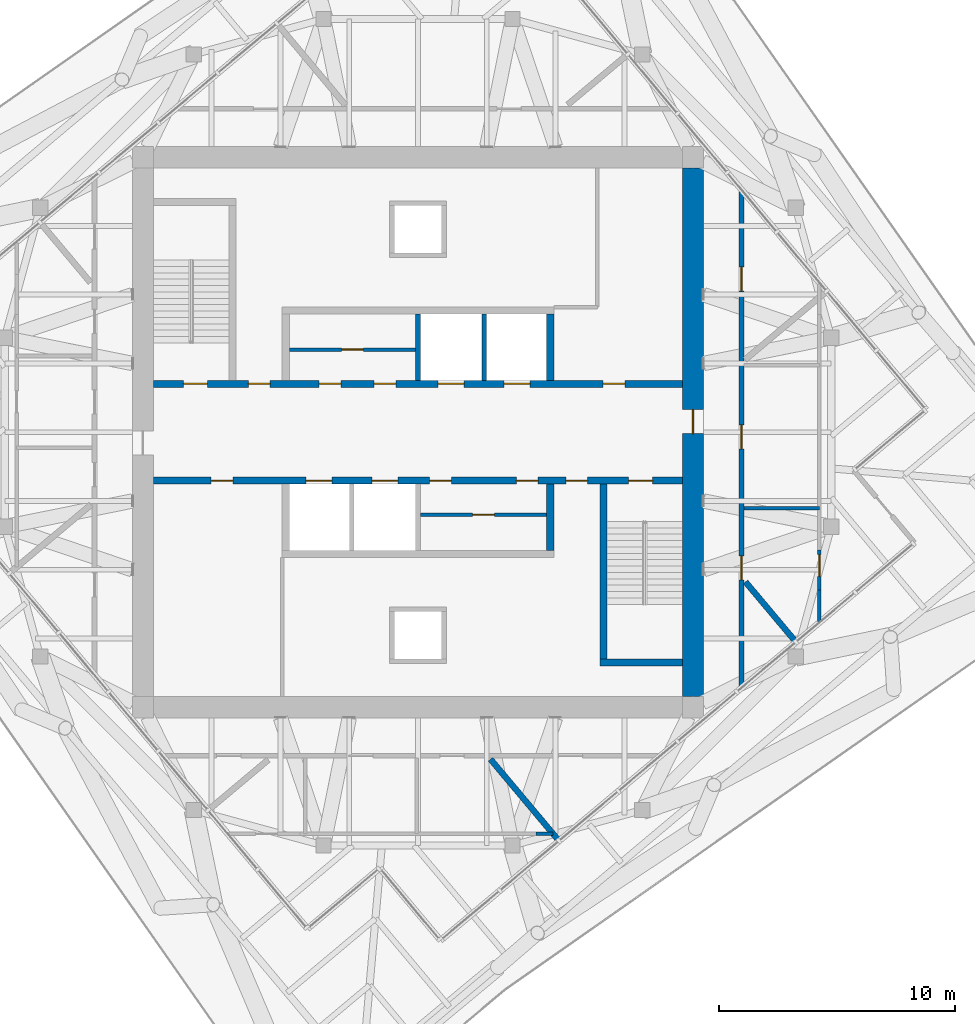
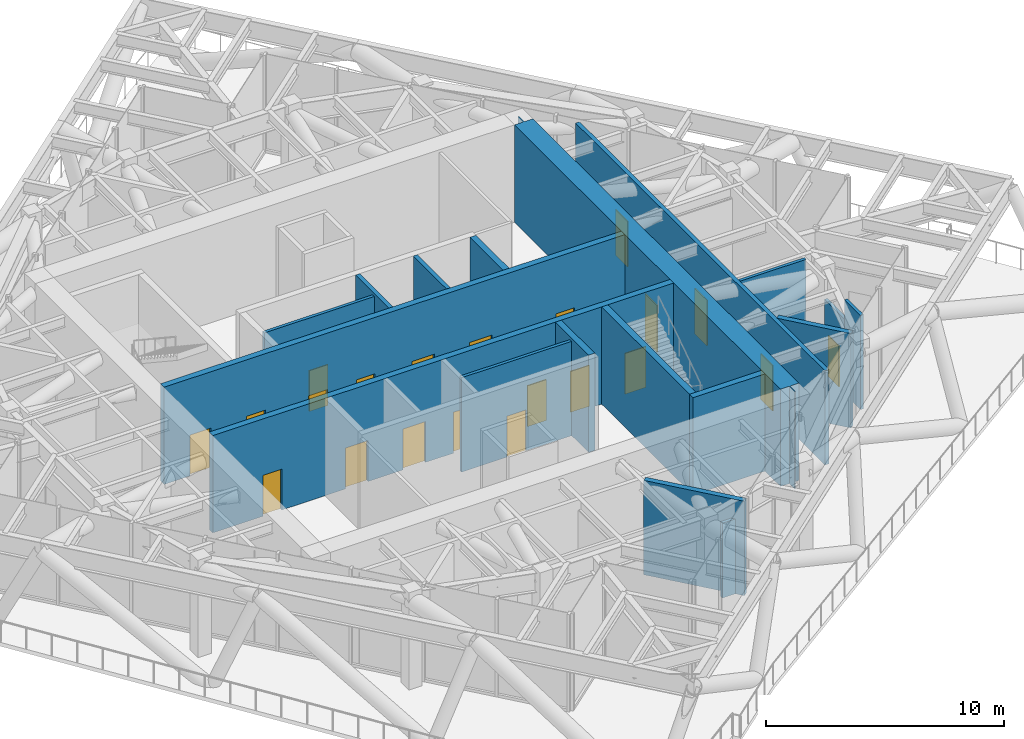
# One storey, part 8 of 15: 21 doors, 18 walls, 21 openings.
"""IFC4 building model written with IfcOpenShell, lengths in metres."""

from ifc_helpers import new_model, si_unit, direction, frame, frame_2d, origin, place, context, subcontext, project, spatial, polyline, rectangle, outline, extrude, material, layer, layer_set, type_object, element, fill, save


model = new_model("IFC4")

# Units and contexts
model_context = context("Model", 3, precision=1e-05, world=origin(), true_north=direction((0.0, 1.0)))
body_context = subcontext(model_context, "Body", "Model", "MODEL_VIEW")
ifc_project = project(units=[si_unit("LENGTHUNIT", "METRE"), si_unit("AREAUNIT", "SQUARE_METRE"), si_unit("VOLUMEUNIT", "CUBIC_METRE"), si_unit("PLANEANGLEUNIT", "RADIAN"), si_unit("MASSUNIT", "GRAM", prefix="KILO")], contexts=[model_context])

# Site, building, storey
site_placement = place(None, origin())
site = spatial("IfcSite", under=ifc_project, at=site_placement, CompositionType="ELEMENT")
building_placement = place(site_placement, origin())
building = spatial("IfcBuilding", under=site, at=building_placement, Name="Torsade Residences", CompositionType="ELEMENT")
storey_placement = place(building_placement, frame((0.0, 0.0, 267.60009765625)))
storey = spatial("IfcBuildingStorey", under=building, at=storey_placement, Name="L74", CompositionType="ELEMENT", Elevation=267.60009765625)

# Wall, openings, doors
ifc_material_1 = material(Name="Concrete 80 MPa", Category="concrete")
ifc_layer_1 = layer(ifc_material_1, 0.300048828125)
ifc_layer_set_1 = layer_set([ifc_layer_1], Name="Concrete 80 MPa")
wall_type_1 = type_object("IfcWallType", Name="CORE INTERNAL WALL 300", PredefinedType="SHEAR", material=ifc_layer_set_1)
wall_1_placement = place(storey_placement, frame((28.800048828125, 32.050048828125, 0.0), z_axis=(0.0, 0.0, 1.0), x_axis=(1.0, 0.0, 0.0)))
wall_1 = element("IfcWall", 1, at=wall_1_placement, inside=storey, type_object=wall_type_1, Name="Core wall LN L74", PredefinedType="SHEAR", context=body_context, shape_type="SweptSolid", body=[
    extrude(rectangle(XDim=22.39990234375, YDim=0.300048828125, at=frame_2d((11.199951171875, 0.0))), origin(), (0.0, 0.0, 1.0), 5.0),
])
opening_1_placement = place(wall_1_placement, frame((19.0400390625, 0.0, 0.0)))
opening_1 = element("IfcOpeningElement", 2, at=opening_1_placement, cuts=wall_1, Name="Opening D06", PredefinedType="OPENING", context=body_context, shape_type="SweptSolid", body=[
    extrude(rectangle(XDim=0.919921875, YDim=2.10009765625, at=frame_2d((0.4599609375, 1.050048828125))), frame((0.0, 0.159912109375, 0.0), z_axis=(0.0, -1.0, 0.0), x_axis=(1.0, 0.0, 0.0)), (0.0, 0.0, 1.0), 0.320068359375),
])
opening_2_placement = place(wall_1_placement, frame((1.264892578125, 0.0, 0.0)))
opening_2 = element("IfcOpeningElement", 3, at=opening_2_placement, cuts=wall_1, Name="Opening D03", PredefinedType="OPENING", context=body_context, shape_type="SweptSolid", body=[
    extrude(rectangle(XDim=1.02001953125, YDim=2.10009765625, at=frame_2d((0.510009765625, 1.050048828125))), frame((0.0, 0.159912109375, 0.0), z_axis=(0.0, -1.0, 0.0), x_axis=(1.0, 0.0, 0.0)), (0.0, 0.0, 1.0), 0.320068359375),
])
opening_3_placement = place(wall_1_placement, frame((4.014892578125, 0.0, 0.0)))
opening_3 = element("IfcOpeningElement", 4, at=opening_3_placement, cuts=wall_1, Name="Opening D06", PredefinedType="OPENING", context=body_context, shape_type="SweptSolid", body=[
    extrude(rectangle(XDim=0.919921875, YDim=2.10009765625, at=frame_2d((0.4599609375, 1.050048828125))), frame((0.0, 0.159912109375, 0.0), z_axis=(0.0, -1.0, 0.0), x_axis=(1.0, 0.0, 0.0)), (0.0, 0.0, 1.0), 0.320068359375),
])
opening_4_placement = place(wall_1_placement, frame((7.014892578125, 0.0, 0.0)))
opening_4 = element("IfcOpeningElement", 5, at=opening_4_placement, cuts=wall_1, Name="Opening D06", PredefinedType="OPENING", context=body_context, shape_type="SweptSolid", body=[
    extrude(rectangle(XDim=0.919921875, YDim=2.10009765625, at=frame_2d((0.4599609375, 1.050048828125))), frame((0.0, 0.159912109375, 0.0), z_axis=(0.0, -1.0, 0.0), x_axis=(1.0, 0.0, 0.0)), (0.0, 0.0, 1.0), 0.320068359375),
])
opening_5_placement = place(wall_1_placement, frame((9.340087890625, 0.0, 0.0)))
opening_5 = element("IfcOpeningElement", 6, at=opening_5_placement, cuts=wall_1, Name="Opening D06", PredefinedType="OPENING", context=body_context, shape_type="SweptSolid", body=[
    extrude(rectangle(XDim=0.919921875, YDim=2.10009765625, at=frame_2d((0.4599609375, 1.050048828125))), frame((0.0, 0.159912109375, 0.0), z_axis=(0.0, -1.0, 0.0), x_axis=(1.0, 0.0, 0.0)), (0.0, 0.0, 1.0), 0.320068359375),
])
opening_6_placement = place(wall_1_placement, frame((12.050048828125, 0.0, 0.0)))
opening_6 = element("IfcOpeningElement", 7, at=opening_6_placement, cuts=wall_1, Name="Opening LD", PredefinedType="OPENING", context=body_context, shape_type="SweptSolid", body=[
    extrude(rectangle(XDim=1.10009765625, YDim=2.10009765625, at=frame_2d((0.550048828125, 1.050048828125))), frame((0.0, 0.159912109375, 0.0), z_axis=(0.0, -1.0, 0.0), x_axis=(1.0, 0.0, 0.0)), (0.0, 0.0, 1.0), 0.320068359375),
])
opening_7_placement = place(wall_1_placement, frame((14.85009765625, 0.0, 0.0)))
opening_7 = element("IfcOpeningElement", 8, at=opening_7_placement, cuts=wall_1, Name="Opening LD", PredefinedType="OPENING", context=body_context, shape_type="SweptSolid", body=[
    extrude(rectangle(XDim=1.10009765625, YDim=2.10009765625, at=frame_2d((0.550048828125, 1.050048828125))), frame((0.0, 0.159912109375, 0.0), z_axis=(0.0, -1.0, 0.0), x_axis=(1.0, 0.0, 0.0)), (0.0, 0.0, 1.0), 0.320068359375),
])
ifc_material_2 = material(Name="Steel-framed fire door", Category="steel")
door_type_1 = type_object("IfcDoorType", Name="FIRE DOOR 1020", OperationType="NOTDEFINED", PredefinedType="DOOR", material=ifc_material_2)
door_1_placement = place(opening_2_placement, origin())
door_1 = element("IfcDoor", 9, at=door_1_placement, inside=storey, type_object=door_type_1, Name="Exit door to fire-isolated stair ST1 L74", OperationType="SINGLE_SWING_RIGHT", OverallHeight=2.10009765625, OverallWidth=1.02001953125, PredefinedType="DOOR", context=body_context, shape_type="SweptSolid", body=[
    extrude(rectangle(XDim=1.02001953125, YDim=2.10009765625, at=frame_2d((0.510009765625, 1.050048828125))), frame((0.0, 0.02490234375, 0.0), z_axis=(0.0, -1.0, 0.0), x_axis=(1.0, 0.0, 0.0)), (0.0, 0.0, 1.0), 0.050048828125),
])
fill(opening_2, door_1)
ifc_material_3 = material(Name="Steel-framed fire door", Category="steel")
door_type_2 = type_object("IfcDoorType", Name="FIRE DOOR 920", OperationType="NOTDEFINED", PredefinedType="DOOR", material=ifc_material_3)
door_2_placement = place(opening_1_placement, origin())
door_2 = element("IfcDoor", 10, at=door_2_placement, inside=storey, type_object=door_type_2, Name="Door Lift lobby to Refuse room", OperationType="SINGLE_SWING_LEFT", OverallHeight=2.10009765625, OverallWidth=0.919921875, PredefinedType="DOOR", context=body_context, shape_type="SweptSolid", body=[
    extrude(rectangle(XDim=0.919921875, YDim=2.10009765625, at=frame_2d((0.4599609375, 1.050048828125))), frame((0.0, 0.02490234375, 0.0), z_axis=(0.0, -1.0, 0.0), x_axis=(1.0, 0.0, 0.0)), (0.0, 0.0, 1.0), 0.050048828125),
])
fill(opening_1, door_2)
door_3_placement = place(opening_3_placement, origin())
door_3 = element("IfcDoor", 11, at=door_3_placement, inside=storey, type_object=door_type_2, Name="Door Lift lobby to Electrical riser room", OperationType="SINGLE_SWING_LEFT", OverallHeight=2.10009765625, OverallWidth=0.919921875, PredefinedType="DOOR", context=body_context, shape_type="SweptSolid", body=[
    extrude(rectangle(XDim=0.919921875, YDim=2.10009765625, at=frame_2d((0.4599609375, 1.050048828125))), frame((0.0, 0.02490234375, 0.0), z_axis=(0.0, -1.0, 0.0), x_axis=(1.0, 0.0, 0.0)), (0.0, 0.0, 1.0), 0.050048828125),
])
fill(opening_3, door_3)
door_4_placement = place(opening_4_placement, origin())
door_4 = element("IfcDoor", 12, at=door_4_placement, inside=storey, type_object=door_type_2, Name="Door Lift lobby to Parcel room L74A", OperationType="SINGLE_SWING_RIGHT", OverallHeight=2.10009765625, OverallWidth=0.919921875, PredefinedType="DOOR", context=body_context, shape_type="SweptSolid", body=[
    extrude(rectangle(XDim=0.919921875, YDim=2.10009765625, at=frame_2d((0.4599609375, 1.050048828125))), frame((0.0, 0.02490234375, 0.0), z_axis=(0.0, -1.0, 0.0), x_axis=(1.0, 0.0, 0.0)), (0.0, 0.0, 1.0), 0.050048828125),
])
fill(opening_4, door_4)
door_5_placement = place(opening_5_placement, origin())
door_5 = element("IfcDoor", 13, at=door_5_placement, inside=storey, type_object=door_type_2, Name="Door Lift lobby to Parcel room L74A", OperationType="SINGLE_SWING_LEFT", OverallHeight=2.10009765625, OverallWidth=0.919921875, PredefinedType="DOOR", context=body_context, shape_type="SweptSolid", body=[
    extrude(rectangle(XDim=0.919921875, YDim=2.10009765625, at=frame_2d((0.4599609375, 1.050048828125))), frame((0.0, 0.02490234375, 0.0), z_axis=(0.0, -1.0, 0.0), x_axis=(1.0, 0.0, 0.0)), (0.0, 0.0, 1.0), 0.050048828125),
])
fill(opening_5, door_5)
ifc_material_4 = material(Name="Stainless steel lift landing door", Category="steel")
door_type_3 = type_object("IfcDoorType", Name="LIFT LANDING DOOR 1100", OperationType="SLIDING_TO_LEFT", PredefinedType="DOOR", material=ifc_material_4)
door_6_placement = place(opening_6_placement, origin())
door_6 = element("IfcDoor", 14, at=door_6_placement, inside=storey, type_object=door_type_3, Name="Lift LA3 landing door L74", OperationType="SLIDING_TO_LEFT", OverallHeight=2.10009765625, OverallWidth=1.10009765625, PredefinedType="DOOR", context=body_context, shape_type="SweptSolid", body=[
    extrude(rectangle(XDim=1.10009765625, YDim=2.10009765625, at=frame_2d((0.550048828125, 1.050048828125))), frame((0.0, 0.02490234375, 0.0), z_axis=(0.0, -1.0, 0.0), x_axis=(1.0, 0.0, 0.0)), (0.0, 0.0, 1.0), 0.050048828125),
])
fill(opening_6, door_6)
door_7_placement = place(opening_7_placement, origin())
door_7 = element("IfcDoor", 15, at=door_7_placement, inside=storey, type_object=door_type_3, Name="Lift FL1 landing door L74", OperationType="SLIDING_TO_LEFT", OverallHeight=2.10009765625, OverallWidth=1.10009765625, PredefinedType="DOOR", context=body_context, shape_type="SweptSolid", body=[
    extrude(rectangle(XDim=1.10009765625, YDim=2.10009765625, at=frame_2d((0.550048828125, 1.050048828125))), frame((0.0, 0.02490234375, 0.0), z_axis=(0.0, -1.0, 0.0), x_axis=(1.0, 0.0, 0.0)), (0.0, 0.0, 1.0), 0.050048828125),
])
fill(opening_7, door_7)

wall_2_placement = place(storey_placement, frame((51.199951171875, 27.949951171875, 0.0), z_axis=(0.0, 0.0, 1.0), x_axis=(-1.0, 0.0, 0.0)))
wall_2 = element("IfcWall", 16, at=wall_2_placement, inside=storey, type_object=wall_type_1, Name="Core wall LS L74", PredefinedType="SHEAR", context=body_context, shape_type="SweptSolid", body=[
    extrude(rectangle(XDim=22.39990234375, YDim=0.300048828125, at=frame_2d((11.199951171875, 0.0))), origin(), (0.0, 0.0, 1.0), 5.0),
])
opening_8_placement = place(wall_2_placement, frame((19.0400390625, 0.0, 0.0)))
opening_8 = element("IfcOpeningElement", 17, at=opening_8_placement, cuts=wall_2, Name="Opening D06", PredefinedType="OPENING", context=body_context, shape_type="SweptSolid", body=[
    extrude(rectangle(XDim=0.919921875, YDim=2.10009765625, at=frame_2d((0.4599609375, 1.050048828125))), frame((0.0, 0.159912109375, 0.0), z_axis=(0.0, -1.0, 0.0), x_axis=(1.0, 0.0, 0.0)), (0.0, 0.0, 1.0), 0.320068359375),
])
opening_9_placement = place(wall_2_placement, frame((1.264892578125, 0.0, 0.0)))
opening_9 = element("IfcOpeningElement", 18, at=opening_9_placement, cuts=wall_2, Name="Opening D03", PredefinedType="OPENING", context=body_context, shape_type="SweptSolid", body=[
    extrude(rectangle(XDim=1.02001953125, YDim=2.10009765625, at=frame_2d((0.510009765625, 1.050048828125))), frame((0.0, 0.159912109375, 0.0), z_axis=(0.0, -1.0, 0.0), x_axis=(1.0, 0.0, 0.0)), (0.0, 0.0, 1.0), 0.320068359375),
])
opening_10_placement = place(wall_2_placement, frame((4.014892578125, 0.0, 0.0)))
opening_10 = element("IfcOpeningElement", 19, at=opening_10_placement, cuts=wall_2, Name="Opening D06", PredefinedType="OPENING", context=body_context, shape_type="SweptSolid", body=[
    extrude(rectangle(XDim=0.919921875, YDim=2.10009765625, at=frame_2d((0.4599609375, 1.050048828125))), frame((0.0, 0.159912109375, 0.0), z_axis=(0.0, -1.0, 0.0), x_axis=(1.0, 0.0, 0.0)), (0.0, 0.0, 1.0), 0.320068359375),
])
opening_11_placement = place(wall_2_placement, frame((9.7900390625, 0.0, 0.0)))
opening_11 = element("IfcOpeningElement", 20, at=opening_11_placement, cuts=wall_2, Name="Opening D06", PredefinedType="OPENING", context=body_context, shape_type="SweptSolid", body=[
    extrude(rectangle(XDim=0.919921875, YDim=2.10009765625, at=frame_2d((0.4599609375, 1.050048828125))), frame((0.0, 0.159912109375, 0.0), z_axis=(0.0, -1.0, 0.0), x_axis=(1.0, 0.0, 0.0)), (0.0, 0.0, 1.0), 0.320068359375),
])
opening_12_placement = place(wall_2_placement, frame((6.114990234375, 0.0, 0.0)))
opening_12 = element("IfcOpeningElement", 21, at=opening_12_placement, cuts=wall_2, Name="Opening D06", PredefinedType="OPENING", context=body_context, shape_type="SweptSolid", body=[
    extrude(rectangle(XDim=0.919921875, YDim=2.10009765625, at=frame_2d((0.4599609375, 1.050048828125))), frame((0.0, 0.159912109375, 0.0), z_axis=(0.0, -1.0, 0.0), x_axis=(1.0, 0.0, 0.0)), (0.0, 0.0, 1.0), 0.320068359375),
])
opening_13_placement = place(wall_2_placement, frame((12.050048828125, 0.0, 0.0)))
opening_13 = element("IfcOpeningElement", 22, at=opening_13_placement, cuts=wall_2, Name="Opening LD", PredefinedType="OPENING", context=body_context, shape_type="SweptSolid", body=[
    extrude(rectangle(XDim=1.10009765625, YDim=2.10009765625, at=frame_2d((0.550048828125, 1.050048828125))), frame((0.0, 0.159912109375, 0.0), z_axis=(0.0, -1.0, 0.0), x_axis=(1.0, 0.0, 0.0)), (0.0, 0.0, 1.0), 0.320068359375),
])
opening_14_placement = place(wall_2_placement, frame((14.85009765625, 0.0, 0.0)))
opening_14 = element("IfcOpeningElement", 23, at=opening_14_placement, cuts=wall_2, Name="Opening LD", PredefinedType="OPENING", context=body_context, shape_type="SweptSolid", body=[
    extrude(rectangle(XDim=1.10009765625, YDim=2.10009765625, at=frame_2d((0.550048828125, 1.050048828125))), frame((0.0, 0.159912109375, 0.0), z_axis=(0.0, -1.0, 0.0), x_axis=(1.0, 0.0, 0.0)), (0.0, 0.0, 1.0), 0.320068359375),
])
door_8_placement = place(opening_9_placement, origin())
door_8 = element("IfcDoor", 24, at=door_8_placement, inside=storey, type_object=door_type_1, Name="Exit door to fire-isolated stair ST2 L74", OperationType="SINGLE_SWING_RIGHT", OverallHeight=2.10009765625, OverallWidth=1.02001953125, PredefinedType="DOOR", context=body_context, shape_type="SweptSolid", body=[
    extrude(rectangle(XDim=1.02001953125, YDim=2.10009765625, at=frame_2d((0.510009765625, 1.050048828125))), frame((0.0, 0.02490234375, 0.0), z_axis=(0.0, -1.0, 0.0), x_axis=(1.0, 0.0, 0.0)), (0.0, 0.0, 1.0), 0.050048828125),
])
fill(opening_9, door_8)
door_9_placement = place(opening_8_placement, origin())
door_9 = element("IfcDoor", 25, at=door_9_placement, inside=storey, type_object=door_type_2, Name="Door Lift lobby to Cleaner store", OperationType="SINGLE_SWING_LEFT", OverallHeight=2.10009765625, OverallWidth=0.919921875, PredefinedType="DOOR", context=body_context, shape_type="SweptSolid", body=[
    extrude(rectangle(XDim=0.919921875, YDim=2.10009765625, at=frame_2d((0.4599609375, 1.050048828125))), frame((0.0, 0.02490234375, 0.0), z_axis=(0.0, -1.0, 0.0), x_axis=(1.0, 0.0, 0.0)), (0.0, 0.0, 1.0), 0.050048828125),
])
fill(opening_8, door_9)
door_10_placement = place(opening_10_placement, origin())
door_10 = element("IfcDoor", 26, at=door_10_placement, inside=storey, type_object=door_type_2, Name="Door Lift lobby to Communications riser room", OperationType="SINGLE_SWING_RIGHT", OverallHeight=2.10009765625, OverallWidth=0.919921875, PredefinedType="DOOR", context=body_context, shape_type="SweptSolid", body=[
    extrude(rectangle(XDim=0.919921875, YDim=2.10009765625, at=frame_2d((0.4599609375, 1.050048828125))), frame((0.0, 0.02490234375, 0.0), z_axis=(0.0, -1.0, 0.0), x_axis=(1.0, 0.0, 0.0)), (0.0, 0.0, 1.0), 0.050048828125),
])
fill(opening_10, door_10)
door_11_placement = place(opening_11_placement, origin())
door_11 = element("IfcDoor", 27, at=door_11_placement, inside=storey, type_object=door_type_2, Name="Door Lift lobby to Linen store L74C", OperationType="SINGLE_SWING_RIGHT", OverallHeight=2.10009765625, OverallWidth=0.919921875, PredefinedType="DOOR", context=body_context, shape_type="SweptSolid", body=[
    extrude(rectangle(XDim=0.919921875, YDim=2.10009765625, at=frame_2d((0.4599609375, 1.050048828125))), frame((0.0, 0.02490234375, 0.0), z_axis=(0.0, -1.0, 0.0), x_axis=(1.0, 0.0, 0.0)), (0.0, 0.0, 1.0), 0.050048828125),
])
fill(opening_11, door_11)
door_12_placement = place(opening_12_placement, origin())
door_12 = element("IfcDoor", 28, at=door_12_placement, inside=storey, type_object=door_type_2, Name="Door Lift lobby to Linen store L74C", OperationType="SINGLE_SWING_LEFT", OverallHeight=2.10009765625, OverallWidth=0.919921875, PredefinedType="DOOR", context=body_context, shape_type="SweptSolid", body=[
    extrude(rectangle(XDim=0.919921875, YDim=2.10009765625, at=frame_2d((0.4599609375, 1.050048828125))), frame((0.0, 0.02490234375, 0.0), z_axis=(0.0, -1.0, 0.0), x_axis=(1.0, 0.0, 0.0)), (0.0, 0.0, 1.0), 0.050048828125),
])
fill(opening_12, door_12)
door_13_placement = place(opening_13_placement, origin())
door_13 = element("IfcDoor", 29, at=door_13_placement, inside=storey, type_object=door_type_3, Name="Lift LB3 landing door L74", OperationType="SLIDING_TO_LEFT", OverallHeight=2.10009765625, OverallWidth=1.10009765625, PredefinedType="DOOR", context=body_context, shape_type="SweptSolid", body=[
    extrude(rectangle(XDim=1.10009765625, YDim=2.10009765625, at=frame_2d((0.550048828125, 1.050048828125))), frame((0.0, 0.02490234375, 0.0), z_axis=(0.0, -1.0, 0.0), x_axis=(1.0, 0.0, 0.0)), (0.0, 0.0, 1.0), 0.050048828125),
])
fill(opening_13, door_13)
door_14_placement = place(opening_14_placement, origin())
door_14 = element("IfcDoor", 30, at=door_14_placement, inside=storey, type_object=door_type_3, Name="Lift FL2 landing door L74", OperationType="SLIDING_TO_LEFT", OverallHeight=2.10009765625, OverallWidth=1.10009765625, PredefinedType="DOOR", context=body_context, shape_type="SweptSolid", body=[
    extrude(rectangle(XDim=1.10009765625, YDim=2.10009765625, at=frame_2d((0.550048828125, 1.050048828125))), frame((0.0, 0.02490234375, 0.0), z_axis=(0.0, -1.0, 0.0), x_axis=(1.0, 0.0, 0.0)), (0.0, 0.0, 1.0), 0.050048828125),
])
fill(opening_14, door_14)

# Walls
for number, where, z_axis, x_axis, name in (
    (31, (45.60009765625, 27.800048828125, 0.0), (0.0, 0.0, 1.0), (0.0, -1.0, 0.0), "Core wall DS0 L74"),
    (32, (45.60009765625, 32.199951171875, 0.0), (0.0, 0.0, 1.0), (0.0, 1.0, 0.0), "Core wall DN4 L74"),
):
    element("IfcWall", number, at=place(storey_placement, frame(where, z_axis=z_axis, x_axis=x_axis)), inside=storey, type_object=wall_type_1, Name=name, PredefinedType="SHEAR", context=body_context, shape_type="SweptSolid", body=[
        extrude(rectangle(XDim=2.800048828125, YDim=0.300048828125, at=frame_2d((1.39990234375, 0.0))), origin(), (0.0, 0.0, 1.0), 5.0),
    ])
wall_3_placement = place(storey_placement, frame((47.85009765625, 27.800048828125, 0.0), z_axis=(0.0, 0.0, 1.0), x_axis=(0.0, -1.0, 0.0)))
element("IfcWall", 33, at=wall_3_placement, inside=storey, type_object=wall_type_1, Name="Core wall ST2W L74", PredefinedType="SHEAR", context=body_context, shape_type="SweptSolid", body=[
    extrude(rectangle(XDim=7.699951171875, YDim=0.300048828125, at=frame_2d((3.85009765625, 0.0))), origin(), (0.0, 0.0, 1.0), 5.0),
])
wall_4_placement = place(storey_placement, frame((51.199951171875, 20.25, 0.0), z_axis=(0.0, 0.0, 1.0), x_axis=(-1.0, 0.0, 0.0)))
element("IfcWall", 34, at=wall_4_placement, inside=storey, type_object=wall_type_1, Name="Core wall ST2S L74", PredefinedType="SHEAR", context=body_context, shape_type="SweptSolid", body=[
    extrude(rectangle(XDim=3.5, YDim=0.300048828125, at=frame_2d((1.75, 0.0))), origin(), (0.0, 0.0, 1.0), 5.0),
])

# Wall, opening, door
ifc_material_5 = material(Name="Concrete 80 MPa", Category="concrete")
ifc_layer_2 = layer(ifc_material_5, 0.89990234375)
ifc_layer_set_2 = layer_set([ifc_layer_2], Name="Concrete 80 MPa")
wall_type_2 = type_object("IfcWallType", Name="CORE WALL 900", PredefinedType="SHEAR", material=ifc_layer_set_2)
wall_5_placement = place(storey_placement, frame((51.64990234375, 18.800048828125, 0.0), z_axis=(0.0, 0.0, 1.0), x_axis=(0.0, 1.0, 0.0)))
wall_5 = element("IfcWall", 35, at=wall_5_placement, inside=storey, type_object=wall_type_2, Name="Core wall E L74", PredefinedType="SHEAR", context=body_context, shape_type="SweptSolid", body=[
    extrude(outline(polyline([(0.0, -0.449951171875), (22.39990234375, -0.449951171875), (22.39990234375, -0.02490234375), (22.849853515625, -0.02490234375), (22.849853515625, 0.02490234375), (22.39990234375, 0.02490234375), (22.39990234375, 0.449951171875), (0.0, 0.449951171875), (0.0, 0.02490234375), (-0.449951171875, 0.02490234375), (-0.449951171875, -0.02490234375), (0.0, -0.02490234375), (0.0, -0.449951171875)])), origin(), (0.0, 0.0, 1.0), 5.0),
])
opening_15_placement = place(wall_5_placement, frame((11.139892578125, 0.0, 0.0)))
opening_15 = element("IfcOpeningElement", 36, at=opening_15_placement, cuts=wall_5, Name="Opening D04", PredefinedType="OPENING", context=body_context, shape_type="SweptSolid", body=[
    extrude(rectangle(XDim=1.02001953125, YDim=2.39990234375, at=frame_2d((0.510009765625, 1.199951171875))), frame((0.0, 0.4599609375, 0.0), z_axis=(0.0, -1.0, 0.0), x_axis=(1.0, 0.0, 0.0)), (0.0, 0.0, 1.0), 0.919921875),
])
ifc_material_6 = material(Name="Steel-framed fire door", Category="steel")
door_type_4 = type_object("IfcDoorType", Name="LOBBY SMOKE DOOR 1020x2400", OperationType="NOTDEFINED", PredefinedType="DOOR", material=ifc_material_6)
door_15_placement = place(opening_15_placement, origin())
door_15 = element("IfcDoor", 37, at=door_15_placement, inside=storey, type_object=door_type_4, Name="Lift lobby door E L74", OperationType="SINGLE_SWING_LEFT", OverallHeight=2.39990234375, OverallWidth=1.02001953125, PredefinedType="DOOR", context=body_context, shape_type="SweptSolid", body=[
    extrude(rectangle(XDim=1.02001953125, YDim=2.39990234375, at=frame_2d((0.510009765625, 1.199951171875))), frame((0.0, 0.02490234375, 0.0), z_axis=(0.0, -1.0, 0.0), x_axis=(1.0, 0.0, 0.0)), (0.0, 0.0, 1.0), 0.050048828125),
])
fill(opening_15, door_15)

# Wall, openings, doors
ifc_material_7 = material(Name="Plasterboard on steel stud", Category="steel")
ifc_layer_3 = layer(ifc_material_7, 0.199951171875)
ifc_layer_set_3 = layer_set([ifc_layer_3], Name="Plasterboard on steel stud")
wall_type_3 = type_object("IfcWallType", Name="CORRIDOR WALL 200", PredefinedType="PARTITIONING", material=ifc_layer_set_3)
wall_6_placement = place(storey_placement, frame((53.699951171875, 19.225341796875, 0.0), z_axis=(0.0, 0.0, 1.0), x_axis=(0.0, 1.0, 0.0)))
wall_6 = element("IfcWall", 38, at=wall_6_placement, inside=storey, type_object=wall_type_3, Name="Corridor wall L74", PredefinedType="PARTITIONING", context=body_context, shape_type="SweptSolid", body=[
    extrude(rectangle(XDim=20.98828125, YDim=0.199951171875, at=frame_2d((10.494140625, 0.0))), origin(), (0.0, 0.0, 1.0), 4.849853515625),
])
opening_16_placement = place(wall_6_placement, frame((4.522216796875, 0.0, 0.0)))
opening_16 = element("IfcOpeningElement", 39, at=opening_16_placement, cuts=wall_6, Name="Opening D01", PredefinedType="OPENING", context=body_context, shape_type="SweptSolid", body=[
    extrude(rectangle(XDim=1.02001953125, YDim=2.340087890625, at=frame_2d((0.510009765625, 1.169921875))), frame((0.0, 0.10986328125, 0.0), z_axis=(0.0, -1.0, 0.0), x_axis=(1.0, 0.0, 0.0)), (0.0, 0.0, 1.0), 0.219970703125),
])
opening_17_placement = place(wall_6_placement, frame((16.753662109375, 0.0, 0.0)))
opening_17 = element("IfcOpeningElement", 40, at=opening_17_placement, cuts=wall_6, Name="Opening D01", PredefinedType="OPENING", context=body_context, shape_type="SweptSolid", body=[
    extrude(rectangle(XDim=1.02001953125, YDim=2.340087890625, at=frame_2d((0.510009765625, 1.169921875))), frame((0.0, 0.10986328125, 0.0), z_axis=(0.0, -1.0, 0.0), x_axis=(1.0, 0.0, 0.0)), (0.0, 0.0, 1.0), 0.219970703125),
])
opening_18_placement = place(wall_6_placement, frame((10.0693359375, 0.0, 0.0)))
opening_18 = element("IfcOpeningElement", 41, at=opening_18_placement, cuts=wall_6, Name="Opening D01", PredefinedType="OPENING", context=body_context, shape_type="SweptSolid", body=[
    extrude(rectangle(XDim=1.02001953125, YDim=2.340087890625, at=frame_2d((0.510009765625, 1.169921875))), frame((0.0, 0.10986328125, 0.0), z_axis=(0.0, -1.0, 0.0), x_axis=(1.0, 0.0, 0.0)), (0.0, 0.0, 1.0), 0.219970703125),
])
ifc_material_8 = material(Name="Solid-core timber fire door", Category="wood")
door_type_5 = type_object("IfcDoorType", Name="APARTMENT ENTRY DOOR 1020x2340", OperationType="NOTDEFINED", PredefinedType="DOOR", material=ifc_material_8)
door_16_placement = place(opening_16_placement, origin())
door_16 = element("IfcDoor", 42, at=door_16_placement, inside=storey, type_object=door_type_5, Name="Door Plant corridor to Service lobby", OperationType="SINGLE_SWING_RIGHT", OverallHeight=2.340087890625, OverallWidth=1.02001953125, PredefinedType="DOOR", context=body_context, shape_type="SweptSolid", body=[
    extrude(rectangle(XDim=1.02001953125, YDim=2.340087890625, at=frame_2d((0.510009765625, 1.169921875))), frame((0.0, 0.02490234375, 0.0), z_axis=(0.0, -1.0, 0.0), x_axis=(1.0, 0.0, 0.0)), (0.0, 0.0, 1.0), 0.050048828125),
])
fill(opening_16, door_16)
door_17_placement = place(opening_17_placement, origin())
door_17 = element("IfcDoor", 43, at=door_17_placement, inside=storey, type_object=door_type_5, Name="Door Plant corridor to Pump room", OperationType="SINGLE_SWING_RIGHT", OverallHeight=2.340087890625, OverallWidth=1.02001953125, PredefinedType="DOOR", context=body_context, shape_type="SweptSolid", body=[
    extrude(rectangle(XDim=1.02001953125, YDim=2.340087890625, at=frame_2d((0.510009765625, 1.169921875))), frame((0.0, 0.02490234375, 0.0), z_axis=(0.0, -1.0, 0.0), x_axis=(1.0, 0.0, 0.0)), (0.0, 0.0, 1.0), 0.050048828125),
])
fill(opening_17, door_17)
door_18_placement = place(opening_18_placement, origin())
door_18 = element("IfcDoor", 44, at=door_18_placement, inside=storey, type_object=door_type_5, Name="Door Plant corridor to Plant cupboard", OperationType="SINGLE_SWING_LEFT", OverallHeight=2.340087890625, OverallWidth=1.02001953125, PredefinedType="DOOR", context=body_context, shape_type="SweptSolid", body=[
    extrude(rectangle(XDim=1.02001953125, YDim=2.340087890625, at=frame_2d((0.510009765625, 1.169921875))), frame((0.0, 0.02490234375, 0.0), z_axis=(0.0, -1.0, 0.0), x_axis=(1.0, 0.0, 0.0)), (0.0, 0.0, 1.0), 0.050048828125),
])
fill(opening_18, door_18)

# Walls
ifc_material_9 = material(Name="Reinforced blockwork", Category="masonry")
ifc_layer_4 = layer(ifc_material_9, 0.199951171875)
ifc_layer_set_4 = layer_set([ifc_layer_4], Name="Reinforced blockwork")
wall_type_4 = type_object("IfcWallType", Name="LIFT SHAFT DIVIDING WALL 200", PredefinedType="SOLIDWALL", material=ifc_layer_set_4)
for number, where, z_axis, x_axis, name in (
    (45, (40.0, 32.199951171875, 0.0), (0.0, 0.0, 1.0), (0.0, 1.0, 0.0), "Core wall DN2 L74"),
    (46, (42.800048828125, 32.199951171875, 0.0), (0.0, 0.0, 1.0), (0.0, 1.0, 0.0), "Core wall DN3 L74"),
):
    element("IfcWall", number, at=place(storey_placement, frame(where, z_axis=z_axis, x_axis=x_axis)), inside=storey, type_object=wall_type_4, Name=name, PredefinedType="SOLIDWALL", context=body_context, shape_type="SweptSolid", body=[
        extrude(rectangle(XDim=2.800048828125, YDim=0.199951171875, at=frame_2d((1.39990234375, 0.0))), origin(), (0.0, 0.0, 1.0), 5.0),
    ])
ifc_material_10 = material(Name="Masonry-lined stud party wall", Category="masonry")
ifc_layer_5 = layer(ifc_material_10, 0.25)
ifc_layer_set_5 = layer_set([ifc_layer_5], Name="Masonry-lined stud party wall")
wall_type_5 = type_object("IfcWallType", Name="PARTY WALL 250", PredefinedType="PARTITIONING", material=ifc_layer_set_5)
wall_7_placement = place(storey_placement, frame((45.97412109375, 12.6904296875, 0.0), z_axis=(0.0, 0.0, 1.0), x_axis=(-0.642796491962, 0.766036989917, 0.0)))
element("IfcWall", 47, at=wall_7_placement, inside=storey, type_object=wall_type_5, Name="Party wall L74", PredefinedType="PARTITIONING", context=body_context, shape_type="SweptSolid", body=[
    extrude(rectangle(XDim=4.5166015625, YDim=0.25, at=frame_2d((2.25830078125, 0.0))), origin(), (0.0, 0.0, 1.0), 4.849853515625),
])
wall_8_placement = place(storey_placement, frame((56.00927734375, 21.11083984375, 0.0), z_axis=(0.0, 0.0, 1.0), x_axis=(-0.642756724565, 0.766070357753, 0.0)))
element("IfcWall", 48, at=wall_8_placement, inside=storey, type_object=wall_type_5, Name="Party wall L74", PredefinedType="PARTITIONING", context=body_context, shape_type="SweptSolid", body=[
    extrude(rectangle(XDim=3.328125, YDim=0.25, at=frame_2d((1.6640625, 0.0))), origin(), (0.0, 0.0, 1.0), 4.849853515625),
])
ifc_material_11 = material(Name="Reinforced blockwork", Category="masonry")
ifc_layer_6 = layer(ifc_material_11, 0.14990234375)
ifc_layer_set_6 = layer_set([ifc_layer_6], Name="Reinforced blockwork")
wall_type_6 = type_object("IfcWallType", Name="SERVICE ROOM WALL 150", PredefinedType="SOLIDWALL", material=ifc_layer_set_6)
wall_9_placement = place(storey_placement, frame((45.71435546875, 13.0, 0.0), z_axis=(0.0, 0.0, 1.0), x_axis=(-1.0, 0.0, 0.0)))
element("IfcWall", 49, at=wall_9_placement, inside=storey, type_object=wall_type_6, Name="Service room wall L74", PredefinedType="SOLIDWALL", context=body_context, shape_type="SweptSolid", body=[
    extrude(rectangle(XDim=0.72607421875, YDim=0.14990234375, at=frame_2d((0.363037109375, 0.0))), origin(), (0.0, 0.0, 1.0), 3.849853515625),
])
wall_10_placement = place(storey_placement, frame((53.800048828125, 26.776123046875, 0.0), z_axis=(0.0, 0.0, 1.0), x_axis=(1.0, 0.0, 0.0)))
element("IfcWall", 50, at=wall_10_placement, inside=storey, type_object=wall_type_6, Name="Service room wall L74", PredefinedType="SOLIDWALL", context=body_context, shape_type="SweptSolid", body=[
    extrude(rectangle(XDim=3.199951171875, YDim=0.14990234375, at=frame_2d((1.60009765625, 0.0))), origin(), (0.0, 0.0, 1.0), 4.849853515625),
])

# Wall, opening, door
wall_11_placement = place(storey_placement, frame((57.0, 25.01171875, 0.0), z_axis=(0.0, 0.0, 1.0), x_axis=(0.0, -1.0, 0.0)))
wall_11 = element("IfcWall", 51, at=wall_11_placement, inside=storey, type_object=wall_type_6, Name="Service room wall L74", PredefinedType="SOLIDWALL", context=body_context, shape_type="SweptSolid", body=[
    extrude(rectangle(XDim=1.690185546875, YDim=0.14990234375, at=frame_2d((0.84521484375, 0.0))), origin(), (0.0, 0.0, 1.0), 3.849853515625),
])
opening_19_placement = place(wall_11_placement, frame((0.192626953125, 0.0, 0.0)))
opening_19 = element("IfcOpeningElement", 52, at=opening_19_placement, cuts=wall_11, Name="Opening D06", PredefinedType="OPENING", context=body_context, shape_type="SweptSolid", body=[
    extrude(rectangle(XDim=0.919921875, YDim=2.10009765625, at=frame_2d((0.4599609375, 1.050048828125))), frame((0.0, 0.0849609375, 0.0), z_axis=(0.0, -1.0, 0.0), x_axis=(1.0, 0.0, 0.0)), (0.0, 0.0, 1.0), 0.169921875),
])
door_19_placement = place(opening_19_placement, origin())
door_19 = element("IfcDoor", 53, at=door_19_placement, inside=storey, type_object=door_type_2, Name="Door Service lobby to Mechanical plant room", OperationType="SINGLE_SWING_LEFT", OverallHeight=2.10009765625, OverallWidth=0.919921875, PredefinedType="DOOR", context=body_context, shape_type="SweptSolid", body=[
    extrude(rectangle(XDim=0.919921875, YDim=2.10009765625, at=frame_2d((0.4599609375, 1.050048828125))), frame((0.0, 0.02490234375, 0.0), z_axis=(0.0, -1.0, 0.0), x_axis=(1.0, 0.0, 0.0)), (0.0, 0.0, 1.0), 0.050048828125),
])
fill(opening_19, door_19)

# Wall
wall_12_placement = place(storey_placement, frame((57.0, 23.321533203125, 0.0), z_axis=(0.0, 0.0, 1.0), x_axis=(0.0, -1.0, 0.0)))
element("IfcWall", 54, at=wall_12_placement, inside=storey, type_object=wall_type_6, Name="Service room wall L74", PredefinedType="SOLIDWALL", context=body_context, shape_type="SweptSolid", body=[
    extrude(rectangle(XDim=1.3271484375, YDim=0.14990234375, at=frame_2d((0.66357421875, 0.0))), origin(), (0.0, 0.0, 1.0), 4.849853515625),
])

# Wall, opening, door
wall_13_placement = place(storey_placement, frame((34.550048828125, 33.5, 0.0), z_axis=(0.0, 0.0, 1.0), x_axis=(1.0, 0.0, 0.0)))
wall_13 = element("IfcWall", 55, at=wall_13_placement, inside=storey, type_object=wall_type_6, Name="Service room wall L74", PredefinedType="SOLIDWALL", context=body_context, shape_type="SweptSolid", body=[
    extrude(rectangle(XDim=5.349853515625, YDim=0.14990234375, at=frame_2d((2.6748046875, 0.0))), origin(), (0.0, 0.0, 1.0), 4.849853515625),
])
opening_20_placement = place(wall_13_placement, frame((2.215087890625, 0.0, 0.0)))
opening_20 = element("IfcOpeningElement", 56, at=opening_20_placement, cuts=wall_13, Name="Opening D06", PredefinedType="OPENING", context=body_context, shape_type="SweptSolid", body=[
    extrude(rectangle(XDim=0.919921875, YDim=2.10009765625, at=frame_2d((0.4599609375, 1.050048828125))), frame((0.0, 0.0849609375, 0.0), z_axis=(0.0, -1.0, 0.0), x_axis=(1.0, 0.0, 0.0)), (0.0, 0.0, 1.0), 0.169921875),
])
door_20_placement = place(opening_20_placement, origin())
door_20 = element("IfcDoor", 57, at=door_20_placement, inside=storey, type_object=door_type_2, Name="Door Parcel room L74A to Records store L74B", OperationType="SINGLE_SWING_RIGHT", OverallHeight=2.10009765625, OverallWidth=0.919921875, PredefinedType="DOOR", context=body_context, shape_type="SweptSolid", body=[
    extrude(rectangle(XDim=0.919921875, YDim=2.10009765625, at=frame_2d((0.4599609375, 1.050048828125))), frame((0.0, 0.02490234375, 0.0), z_axis=(0.0, -1.0, 0.0), x_axis=(1.0, 0.0, 0.0)), (0.0, 0.0, 1.0), 0.050048828125),
])
fill(opening_20, door_20)

wall_14_placement = place(storey_placement, frame((40.10009765625, 26.5, 0.0), z_axis=(0.0, 0.0, 1.0), x_axis=(1.0, 0.0, 0.0)))
wall_14 = element("IfcWall", 58, at=wall_14_placement, inside=storey, type_object=wall_type_6, Name="Service room wall L74", PredefinedType="SOLIDWALL", context=body_context, shape_type="SweptSolid", body=[
    extrude(rectangle(XDim=5.349853515625, YDim=0.14990234375, at=frame_2d((2.6748046875, 0.0))), origin(), (0.0, 0.0, 1.0), 4.849853515625),
])
opening_21_placement = place(wall_14_placement, frame((2.215087890625, 0.0, 0.0)))
opening_21 = element("IfcOpeningElement", 59, at=opening_21_placement, cuts=wall_14, Name="Opening D06", PredefinedType="OPENING", context=body_context, shape_type="SweptSolid", body=[
    extrude(rectangle(XDim=0.919921875, YDim=2.10009765625, at=frame_2d((0.4599609375, 1.050048828125))), frame((0.0, 0.0849609375, 0.0), z_axis=(0.0, -1.0, 0.0), x_axis=(1.0, 0.0, 0.0)), (0.0, 0.0, 1.0), 0.169921875),
])
door_21_placement = place(opening_21_placement, origin())
door_21 = element("IfcDoor", 60, at=door_21_placement, inside=storey, type_object=door_type_2, Name="Door Linen store L74C to Records store L74D", OperationType="SINGLE_SWING_LEFT", OverallHeight=2.10009765625, OverallWidth=0.919921875, PredefinedType="DOOR", context=body_context, shape_type="SweptSolid", body=[
    extrude(rectangle(XDim=0.919921875, YDim=2.10009765625, at=frame_2d((0.4599609375, 1.050048828125))), frame((0.0, 0.02490234375, 0.0), z_axis=(0.0, -1.0, 0.0), x_axis=(1.0, 0.0, 0.0)), (0.0, 0.0, 1.0), 0.050048828125),
])
fill(opening_21, door_21)

save(model, "model.ifc")
